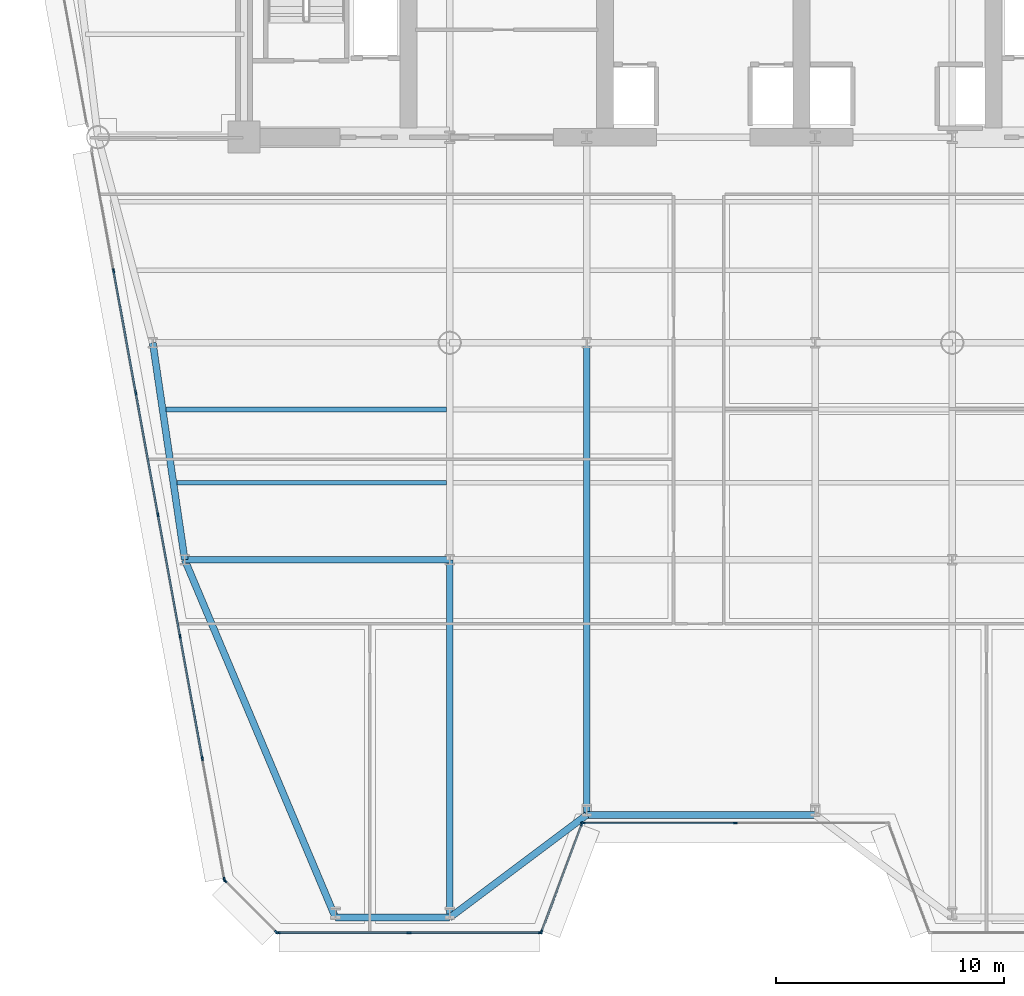
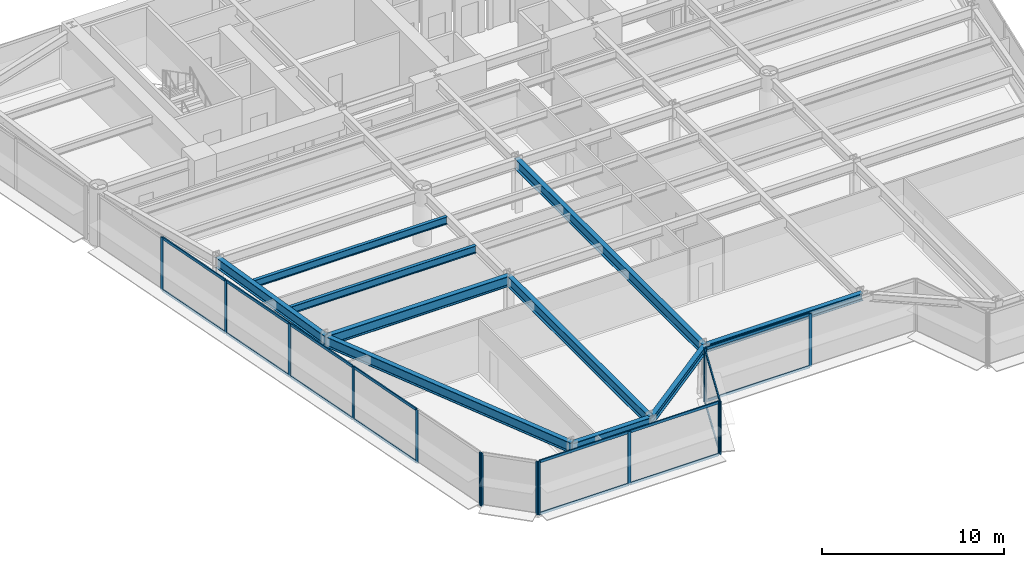
# One storey, part 2 of 14: 31 members, 10 beams, 5 elements without a shape of their own.
"""IFC4 building model written with IfcOpenShell, lengths in metres."""

import ifcopenshell
import ifcopenshell.guid

model = None  # the IFC model being written
_history = None  # IfcOwnerHistory: only IFC2X3 demands one
_inside = {}  # id of a spatial element -> (the spatial element, [elements in it])
_under = {}  # id of a project, library or spatial element -> (it, [spatial elements below it])
_declared = {}  # id of a project -> (the project, [libraries it declares])
_typed = {}  # id of a type object -> (the type object, [elements of that type])
_made_of = {}  # id of a material, layer set ... -> (it, [elements and type objects made of it])


def new_model(schema):
    """Start an empty IFC model of exactly this schema.

    Asked for "IFC4X3", IfcOpenShell would pick the latest addendum, in which some entities
    have other attributes; the version numbers below select the first issue.
    IFC2X3 requires an IfcOwnerHistory on every rooted entity: one is made here for all.
    """
    global model, _history
    if schema == "IFC4X3":
        model = ifcopenshell.file(schema_version=(4, 3, 0, 0))
    else:
        model = ifcopenshell.file(schema=schema)
    _inside.clear()
    _under.clear()
    _declared.clear()
    _typed.clear()
    _made_of.clear()
    _history = None
    if model.schema == "IFC2X3":
        org = make("IfcOrganization", Name="unknown")
        user = make(
            "IfcPersonAndOrganization",
            ThePerson=make("IfcPerson", FamilyName="unknown"),
            TheOrganization=org,
        )
        app = make(
            "IfcApplication",
            ApplicationDeveloper=org,
            Version="unknown",
            ApplicationFullName="unknown",
            ApplicationIdentifier="unknown",
        )
        _history = make(
            "IfcOwnerHistory",
            OwningUser=user,
            OwningApplication=app,
            ChangeAction="ADDED",
            CreationDate=0,
        )
    return model


def make(cls, **values):
    """One entity of the class cls with the attributes given. An attribute that is None is left unset."""
    return model.create_entity(
        cls, **{name: value for name, value in values.items() if value is not None}
    )


def rooted(cls, **values):
    """An entity with a GlobalId (a new one), such as an element, a storey or a relation."""
    return make(cls, GlobalId=ifcopenshell.guid.new(), OwnerHistory=_history, **values)


def si_unit(unit_type, name, prefix=None):
    """IfcSIUnit, for example si_unit("LENGTHUNIT", "METRE", prefix="MILLI")."""
    return make("IfcSIUnit", UnitType=unit_type, Prefix=prefix, Name=name)


def assignment(units):
    """IfcUnitAssignment: the units of a project."""
    return None if units is None else make("IfcUnitAssignment", Units=units)


def point(xyz):
    """IfcCartesianPoint."""
    return None if xyz is None else make("IfcCartesianPoint", Coordinates=xyz)


def direction(xyz):
    """IfcDirection."""
    return None if xyz is None else make("IfcDirection", DirectionRatios=xyz)


def frame(location, z_axis=None, x_axis=None):
    """IfcAxis2Placement3D, a coordinate frame: its origin and axes. An axis left out is left unset."""
    return make(
        "IfcAxis2Placement3D",
        Location=point(location),
        Axis=direction(z_axis),
        RefDirection=direction(x_axis),
    )


def frame_2d(location, x_axis=None):
    """IfcAxis2Placement2D, a coordinate frame in the plane: its origin and x axis."""
    return make(
        "IfcAxis2Placement2D", Location=point(location), RefDirection=direction(x_axis)
    )


def origin():
    """The frame at (0, 0, 0) with its axes left unset."""
    return frame((0.0, 0.0, 0.0))


def origin_2d():
    """The frame at (0, 0) in the plane with its x axis left unset."""
    return frame_2d((0.0, 0.0))


def place(relative_to, where):
    """IfcLocalPlacement: puts the frame where relative to a parent placement (None: the world)."""
    return make(
        "IfcLocalPlacement", PlacementRelTo=relative_to, RelativePlacement=where
    )


def context(
    kind, dimensions, precision=None, world=None, true_north=None, identifier=None
):
    """IfcGeometricRepresentationContext, for example the 3D "Model" context."""
    return make(
        "IfcGeometricRepresentationContext",
        ContextIdentifier=identifier,
        ContextType=kind,
        CoordinateSpaceDimension=dimensions,
        Precision=precision,
        WorldCoordinateSystem=world,
        TrueNorth=true_north,
    )


def subcontext(parent, identifier, kind, view, scale=None):
    """IfcGeometricRepresentationSubContext, for example "Body" below "Model"."""
    return make(
        "IfcGeometricRepresentationSubContext",
        ContextIdentifier=identifier,
        ContextType=kind,
        ParentContext=parent,
        TargetScale=scale,
        TargetView=view,
    )


def project(units=None, contexts=None):
    """IfcProject with its units and contexts."""
    return rooted(
        "IfcProject",
        Name="project",
        RepresentationContexts=contexts,
        UnitsInContext=assignment(units),
    )


def spatial(cls, under=None, at=None, **own):
    """A site, building, storey or space (cls), placed at a placement, below another one or the project."""
    s = rooted(cls, ObjectPlacement=at, **own)
    if under is not None:
        _under.setdefault(under.id(), (under, []))[1].append(s)
    return s


def profile(cls, at=None, kind="AREA", **sizes):
    """A parametric profile (cls). Its sizes go by their IFC names, for example OverallWidth=200.0."""
    return make(cls, ProfileType=kind, Position=at, **sizes)


def rectangle(**sizes):
    """IfcRectangleProfileDef."""
    return profile("IfcRectangleProfileDef", **sizes)


def i_section(**sizes):
    """IfcIShapeProfileDef."""
    return profile("IfcIShapeProfileDef", **sizes)


def extrude(swept, where, along, depth):
    """IfcExtrudedAreaSolid: the profile swept, set in the frame where, extruded along a direction by depth."""
    return make(
        "IfcExtrudedAreaSolid",
        SweptArea=swept,
        Position=where,
        ExtrudedDirection=direction(along),
        Depth=depth,
    )


def shape(context_of_items, identifier, shape_type, items):
    """IfcShapeRepresentation: the items that make up one representation, for example the "Body"."""
    return make(
        "IfcShapeRepresentation",
        ContextOfItems=context_of_items,
        RepresentationIdentifier=identifier,
        RepresentationType=shape_type,
        Items=items,
    )


def source(mapping_origin, context_of_items, identifier, shape_type, items):
    """IfcRepresentationMap: a shape defined once, which mapped items show again and again."""
    return make(
        "IfcRepresentationMap",
        MappingOrigin=mapping_origin,
        MappedRepresentation=shape(context_of_items, identifier, shape_type, items),
    )


def transform(
    local_origin,
    x_axis=None,
    y_axis=None,
    z_axis=None,
    scale=None,
    scale2=None,
    scale3=None,
    uniform=True,
):
    """IfcCartesianTransformationOperator3D, or its non-uniform kind. x_axis, y_axis, z_axis: its Axis1, 2, 3."""
    if uniform:
        return make(
            "IfcCartesianTransformationOperator3D",
            Axis1=direction(x_axis),
            Axis2=direction(y_axis),
            LocalOrigin=point(local_origin),
            Scale=scale,
            Axis3=direction(z_axis),
        )
    return make(
        "IfcCartesianTransformationOperator3DnonUniform",
        Axis1=direction(x_axis),
        Axis2=direction(y_axis),
        LocalOrigin=point(local_origin),
        Scale=scale,
        Axis3=direction(z_axis),
        Scale2=scale2,
        Scale3=scale3,
    )


def mapped(mapping_source, mapping_target):
    """IfcMappedItem: shows the shape of a source again, moved by a transform."""
    return make(
        "IfcMappedItem", MappingSource=mapping_source, MappingTarget=mapping_target
    )


def material(Name=None, Category=None):
    """IfcMaterial."""
    return make("IfcMaterial", Name=Name, Category=Category)


def layer(
    of_material, thickness, ventilated=None, Name=None, Category=None, Priority=None
):
    """IfcMaterialLayer: one layer of a wall or slab, of a material (None: an air gap)."""
    return make(
        "IfcMaterialLayer",
        Material=of_material,
        LayerThickness=thickness,
        IsVentilated=ventilated,
        Name=Name,
        Category=Category,
        Priority=Priority,
    )


def layer_set(layers, Name=None):
    """IfcMaterialLayerSet."""
    return make("IfcMaterialLayerSet", MaterialLayers=layers, LayerSetName=Name)


def material_profile(
    of_material, cross_section, Name=None, Category=None, Priority=None
):
    """IfcMaterialProfile: a cross section and its material."""
    return make(
        "IfcMaterialProfile",
        Name=Name,
        Material=of_material,
        Profile=cross_section,
        Priority=Priority,
        Category=Category,
    )


def profile_set(profiles, Name=None, composite=None):
    """IfcMaterialProfileSet."""
    return make(
        "IfcMaterialProfileSet",
        Name=Name,
        MaterialProfiles=profiles,
        CompositeProfile=composite,
    )


def made_of(thing, what):
    """Note that an element or type object is made of a material, layer set ...; save() writes the relation."""
    if what is not None:
        _made_of.setdefault(what.id(), (what, []))[1].append(thing)
    return thing


def type_object(cls, material=None, **own):
    """A type object (cls), such as IfcWallType, which elements share."""
    return made_of(rooted(cls, **own), material)


def element(
    cls,
    number,
    at=None,
    inside=None,
    cuts=None,
    type_object=None,
    material=None,
    context=None,
    identifier="Body",
    shape_type=None,
    held_by="IfcProductDefinitionShape",
    body=None,
    shapes=None,
    **own,
):
    """One element of the class cls, such as IfcWall. Its Tag is "e" and its number.

    at: its placement. inside: the storey or other place that contains it. cuts: it is an
    opening in that element (IfcRelVoidsElement). A single representation is given by context,
    identifier, shape_type and body (its items); several are given by shapes. held_by: the class
    of the entity that holds the representations. save() writes the other relations.
    """
    e = rooted(cls, Tag="e%d" % number, ObjectPlacement=at, **own)
    if body is not None:
        shapes = [shape(context, identifier, shape_type, body)]
    if shapes is not None:
        e.Representation = make(held_by, Representations=shapes)
    if inside is not None:
        _inside.setdefault(inside.id(), (inside, []))[1].append(e)
    if cuts is not None:
        rooted(
            "IfcRelVoidsElement", RelatingBuildingElement=cuts, RelatedOpeningElement=e
        )
    if type_object is not None:
        _typed.setdefault(type_object.id(), (type_object, []))[1].append(e)
    return made_of(e, material)


def aggregate(whole, parts):
    """IfcRelAggregates: a whole, such as a stair, and the parts it consists of."""
    return rooted("IfcRelAggregates", RelatingObject=whole, RelatedObjects=parts)


def save(model, path):
    """Write the relations noted so far, then the file.

    IfcRelAggregates (storeys below a building ...), IfcRelContainedInSpatialStructure (elements
    in a storey), IfcRelDefinesByType, IfcRelAssociatesMaterial and IfcRelDeclares: one each for
    every whole, place, type object, material and project.
    """
    for whole, parts in _under.values():
        aggregate(whole, parts)
    for where, things in _inside.values():
        rooted(
            "IfcRelContainedInSpatialStructure",
            RelatedElements=things,
            RelatingStructure=where,
        )
    for kind, things in _typed.values():
        rooted("IfcRelDefinesByType", RelatedObjects=things, RelatingType=kind)
    for what, things in _made_of.values():
        rooted("IfcRelAssociatesMaterial", RelatedObjects=things, RelatingMaterial=what)
    for by, libraries in _declared.values():
        rooted("IfcRelDeclares", RelatingContext=by, RelatedDefinitions=libraries)
    model.write(path)


model = new_model("IFC4")

# Units and contexts
model_context = context("Model", 3, precision=1e-05, world=origin(), true_north=direction((0.0, 1.0)))
body_context = subcontext(model_context, "Body", "Model", "MODEL_VIEW")
ifc_project = project(units=[si_unit("LENGTHUNIT", "METRE"), si_unit("AREAUNIT", "SQUARE_METRE"), si_unit("VOLUMEUNIT", "CUBIC_METRE"), si_unit("PLANEANGLEUNIT", "RADIAN"), si_unit("MASSUNIT", "GRAM", prefix="KILO")], contexts=[model_context])

# Site, building, storey
site_placement = place(None, origin())
site = spatial("IfcSite", under=ifc_project, at=site_placement, CompositionType="ELEMENT")
building_placement = place(site_placement, origin())
building = spatial("IfcBuilding", under=site, at=building_placement, Name="Vaeldorn Concourse Tower", CompositionType="ELEMENT")
storey_placement = place(building_placement, frame((0.0, 0.0, 118.60009765625)))
storey = spatial("IfcBuildingStorey", under=building, at=storey_placement, Name="L30", CompositionType="ELEMENT", Elevation=118.60009765625)

# Beams
ifc_material_1 = material(Name="Steel S355", Category="steel")
ifc_material_profile_1 = material_profile(ifc_material_1, i_section(OverallWidth=0.199951171875, OverallDepth=0.5, WebThickness=0.01025390625, FlangeThickness=0.01611328125, FilletRadius=0.02099609375, at=origin_2d()), Name="IPE 500")
ifc_profile_set_1 = profile_set([ifc_material_profile_1], Name="Steel S355")
beam_type_1 = type_object("IfcBeamType", Name="BM-JS-IPE500", PredefinedType="JOIST", material=ifc_profile_set_1)
shared_shape_1 = source(origin(), body_context, "Body", "SweptSolid", [
    extrude(i_section(OverallWidth=0.199951171875, OverallDepth=0.5, WebThickness=0.01025390625, FlangeThickness=0.01611328125, FilletRadius=0.02099609375, at=origin_2d()), origin(), (0.0, 0.0, 1.0), 11.798095703125),
])
beam_1_placement = place(storey_placement, frame((11.052001953125, 21.3798828125, 3.329833984375), z_axis=(1.0, 0.0, 0.0), x_axis=(0.0, 1.0, 0.0)))
element("IfcBeam", 1, at=beam_1_placement, inside=storey, type_object=beam_type_1, Name="Beam JS-L30-W1-213", PredefinedType="JOIST", context=body_context, shape_type="MappedRepresentation", body=[
    mapped(shared_shape_1, transform((0.0, 0.0, 0.0), scale=1.0)),
])
shared_shape_2 = source(origin(), body_context, "Body", "SweptSolid", [
    extrude(i_section(OverallWidth=0.199951171875, OverallDepth=0.5, WebThickness=0.01025390625, FlangeThickness=0.01611328125, FilletRadius=0.02099609375, at=origin_2d()), origin(), (0.0, 0.0, 1.0), 12.269775390625),
])
beam_2_placement = place(storey_placement, frame((10.580322265625, 24.580078125, 3.329833984375), z_axis=(1.0, 0.0, 0.0), x_axis=(0.0, 1.0, 0.0)))
element("IfcBeam", 2, at=beam_2_placement, inside=storey, type_object=beam_type_1, Name="Beam JS-L30-W1-245", PredefinedType="JOIST", context=body_context, shape_type="MappedRepresentation", body=[
    mapped(shared_shape_2, transform((0.0, 0.0, 0.0), scale=1.0)),
])
ifc_material_profile_2 = material_profile(ifc_material_1, i_section(OverallWidth=0.300048828125, OverallDepth=0.5, WebThickness=0.014404296875, FlangeThickness=0.028076171875, FilletRadius=0.027099609375, at=origin_2d()), Name="HEB 500")
ifc_profile_set_2 = profile_set([ifc_material_profile_2], Name="Steel S355")
beam_type_2 = type_object("IfcBeamType", Name="BM-SP-HEB500", PredefinedType="SPANDREL", material=ifc_profile_set_2)
shared_shape_3 = source(origin(), body_context, "Body", "SweptSolid", [
    extrude(i_section(OverallWidth=0.300048828125, OverallDepth=0.5, WebThickness=0.014404296875, FlangeThickness=0.028076171875, FilletRadius=0.027099609375, at=origin_2d()), origin(), (0.0, 0.0, 1.0), 5.0),
])
beam_3_placement = place(storey_placement, frame((18.0, 2.33447265625, 3.329833984375), z_axis=(1.0, 0.0, 0.0), x_axis=(0.0, 1.0, 0.0)))
element("IfcBeam", 3, at=beam_3_placement, inside=storey, type_object=beam_type_2, Name="Beam BM-L30-C-SF1-C-SF2", PredefinedType="SPANDREL", context=body_context, shape_type="MappedRepresentation", body=[
    mapped(shared_shape_3, transform((0.0, 0.0, 0.0), scale=1.0)),
])
shared_shape_4 = source(origin(), body_context, "Body", "SweptSolid", [
    extrude(i_section(OverallWidth=0.300048828125, OverallDepth=0.5, WebThickness=0.014404296875, FlangeThickness=0.028076171875, FilletRadius=0.027099609375, at=origin_2d()), origin(), (0.0, 0.0, 1.0), 7.5),
])
beam_4_placement = place(storey_placement, frame((23.0, 2.33447265625, 3.329833984375), z_axis=(0.8, 0.6, 0.0), x_axis=(-0.6, 0.8, 0.0)))
element("IfcBeam", 4, at=beam_4_placement, inside=storey, type_object=beam_type_2, Name="Beam BM-L30-C-SF2-C-SF3", PredefinedType="SPANDREL", context=body_context, shape_type="MappedRepresentation", body=[
    mapped(shared_shape_4, transform((0.0, 0.0, 0.0), scale=1.0)),
])
shared_shape_5 = source(origin(), body_context, "Body", "SweptSolid", [
    extrude(i_section(OverallWidth=0.300048828125, OverallDepth=0.5, WebThickness=0.014404296875, FlangeThickness=0.028076171875, FilletRadius=0.027099609375, at=origin_2d()), origin(), (0.0, 0.0, 1.0), 10.0),
])
beam_5_placement = place(storey_placement, frame((29.0, 6.83447265625, 3.329833984375), z_axis=(1.0, 0.0, 0.0), x_axis=(0.0, 1.0, 0.0)))
element("IfcBeam", 5, at=beam_5_placement, inside=storey, type_object=beam_type_2, Name="Beam BM-L30-C-SF3-C-SF4", PredefinedType="SPANDREL", context=body_context, shape_type="MappedRepresentation", body=[
    mapped(shared_shape_5, transform((0.0, 0.0, 0.0), scale=1.0)),
])
ifc_material_profile_3 = material_profile(ifc_material_1, i_section(OverallWidth=0.300048828125, OverallDepth=0.699951171875, WebThickness=0.01708984375, FlangeThickness=0.031982421875, FilletRadius=0.027099609375, at=origin_2d()), Name="HEB 700")
ifc_profile_set_3 = profile_set([ifc_material_profile_3], Name="Steel S355")
beam_type_3 = type_object("IfcBeamType", Name="BM-PG-HEB700", PredefinedType="BEAM", material=ifc_profile_set_3)
shared_shape_6 = source(origin(), body_context, "Body", "SweptSolid", [
    extrude(i_section(OverallWidth=0.300048828125, OverallDepth=0.699951171875, WebThickness=0.01708984375, FlangeThickness=0.031982421875, FilletRadius=0.027099609375, at=origin_2d()), origin(), (0.0, 0.0, 1.0), 9.6025390625),
])
beam_6_placement = place(storey_placement, frame((10.0, 27.5, 3.22998046875), z_axis=(0.145783835977, -0.989316467652, 0.0), x_axis=(0.989316467652, 0.145783835977, 0.0)))
element("IfcBeam", 6, at=beam_6_placement, inside=storey, type_object=beam_type_3, Name="Beam BM-L30-C-FLW1-C-FLW2", PredefinedType="BEAM", context=body_context, shape_type="MappedRepresentation", body=[
    mapped(shared_shape_6, transform((0.0, 0.0, 0.0), scale=1.0)),
])
shared_shape_7 = source(origin(), body_context, "Body", "SweptSolid", [
    extrude(i_section(OverallWidth=0.300048828125, OverallDepth=0.699951171875, WebThickness=0.01708984375, FlangeThickness=0.031982421875, FilletRadius=0.027099609375, at=origin_2d()), origin(), (0.0, 0.0, 1.0), 11.60009765625),
])
beam_7_placement = place(storey_placement, frame((11.39990234375, 18.0, 3.22998046875), z_axis=(1.0, 0.0, 0.0), x_axis=(0.0, 1.0, 0.0)))
element("IfcBeam", 7, at=beam_7_placement, inside=storey, type_object=beam_type_3, Name="Beam BM-L30-C-FLW2-C-TW5", PredefinedType="BEAM", context=body_context, shape_type="MappedRepresentation", body=[
    mapped(shared_shape_7, transform((0.0, 0.0, 0.0), scale=1.0)),
])
shared_shape_8 = source(origin(), body_context, "Body", "SweptSolid", [
    extrude(i_section(OverallWidth=0.300048828125, OverallDepth=0.699951171875, WebThickness=0.01708984375, FlangeThickness=0.031982421875, FilletRadius=0.027099609375, at=origin_2d()), origin(), (0.0, 0.0, 1.0), 16.9990234375),
])
beam_8_placement = place(storey_placement, frame((18.0, 2.33447265625, 3.22998046875), z_axis=(-0.388261166886, 0.921549383532, 0.0), x_axis=(-0.921549383532, -0.388261166886, 0.0)))
element("IfcBeam", 8, at=beam_8_placement, inside=storey, type_object=beam_type_3, Name="Beam BM-L30-C-SF1-C-FLW2", PredefinedType="BEAM", context=body_context, shape_type="MappedRepresentation", body=[
    mapped(shared_shape_8, transform((0.0, 0.0, 0.0), scale=1.0)),
])
shared_shape_9 = source(origin(), body_context, "Body", "SweptSolid", [
    extrude(i_section(OverallWidth=0.300048828125, OverallDepth=0.699951171875, WebThickness=0.01708984375, FlangeThickness=0.031982421875, FilletRadius=0.027099609375, at=origin_2d()), origin(), (0.0, 0.0, 1.0), 15.66552734375),
])
beam_9_placement = place(storey_placement, frame((23.0, 2.33447265625, 3.22998046875), z_axis=(0.0, 1.0, 0.0), x_axis=(-1.0, 0.0, 0.0)))
element("IfcBeam", 9, at=beam_9_placement, inside=storey, type_object=beam_type_3, Name="Beam BM-L30-C-SF2-C-TW5", PredefinedType="BEAM", context=body_context, shape_type="MappedRepresentation", body=[
    mapped(shared_shape_9, transform((0.0, 0.0, 0.0), scale=1.0)),
])
shared_shape_10 = source(origin(), body_context, "Body", "SweptSolid", [
    extrude(i_section(OverallWidth=0.300048828125, OverallDepth=0.699951171875, WebThickness=0.01708984375, FlangeThickness=0.031982421875, FilletRadius=0.027099609375, at=origin_2d()), origin(), (0.0, 0.0, 1.0), 20.66552734375),
])
beam_10_placement = place(storey_placement, frame((29.0, 6.83447265625, 3.22998046875), z_axis=(0.0, 1.0, 0.0), x_axis=(-1.0, 0.0, 0.0)))
element("IfcBeam", 10, at=beam_10_placement, inside=storey, type_object=beam_type_3, Name="Beam BM-L30-C-SF3-C-TW2", PredefinedType="BEAM", context=body_context, shape_type="MappedRepresentation", body=[
    mapped(shared_shape_10, transform((0.0, 0.0, 0.0), scale=1.0)),
])

# Curtain wall, members
ifc_material_2 = material(Name="Anodised Bronze Aluminium", Category="aluminium")
ifc_layer = layer(ifc_material_2, 0.199951171875)
ifc_layer_set = layer_set([ifc_layer], Name="Anodised Bronze Aluminium")
curtain_wall_type = type_object("IfcCurtainWallType", Name="CW-SYS-02", PredefinedType="NOTDEFINED", material=ifc_layer_set)
curtain_wall_1_placement = place(storey_placement, origin())
curtain_wall_1 = element("IfcCurtainWall", 11, at=curtain_wall_1_placement, inside=storey, type_object=curtain_wall_type, Name="Unitised Curtain Wall CW-L30-E03-1", PredefinedType="NOTDEFINED")
ifc_material_profile_4 = material_profile(ifc_material_2, rectangle(XDim=0.074951171875, YDim=0.179931640625, at=origin_2d()), Name="CWT 75x180")
ifc_profile_set_4 = profile_set([ifc_material_profile_4], Name="Anodised Bronze Aluminium")
member_type_1 = type_object("IfcMemberType", Name="CWT-BRONZE-180", PredefinedType="USERDEFINED", material=ifc_profile_set_4)
shared_shape_11 = source(origin(), body_context, "Body", "SweptSolid", [
    extrude(rectangle(XDim=0.074951171875, YDim=0.179931640625, at=origin_2d()), origin(), (0.0, 0.0, 1.0), 6.58740234375),
])
member_1_placement = place(storey_placement, frame((28.875, 6.473388671875, 0.037353515625), z_axis=(1.0, 0.0, 0.0), x_axis=(0.0, 1.0, 0.0)))
member_1 = element("IfcMember", 12, at=member_1_placement, type_object=member_type_1, Name="CW-02 transom 1.1", ObjectType="TRANSOM", PredefinedType="USERDEFINED", context=body_context, shape_type="MappedRepresentation", body=[
    mapped(shared_shape_11, transform((0.0, 0.0, 0.0), scale=1.0)),
])
member_2_placement = place(storey_placement, frame((28.875, 6.473388671875, 3.54248046875), z_axis=(1.0, 0.0, 0.0), x_axis=(0.0, 1.0, 0.0)))
member_2 = element("IfcMember", 13, at=member_2_placement, type_object=member_type_1, Name="CW-02 transom 1.2", ObjectType="TRANSOM", PredefinedType="USERDEFINED", context=body_context, shape_type="MappedRepresentation", body=[
    mapped(shared_shape_11, transform((0.0, 0.0, 0.0), scale=1.0)),
])

curtain_wall_2_placement = place(storey_placement, origin())
curtain_wall_2 = element("IfcCurtainWall", 14, at=curtain_wall_2_placement, inside=storey, type_object=curtain_wall_type, Name="Unitised Curtain Wall CW-L30-E02-1", PredefinedType="NOTDEFINED")
shared_shape_12 = source(origin(), body_context, "Body", "SweptSolid", [
    extrude(rectangle(XDim=0.074951171875, YDim=0.179931640625, at=origin_2d()), origin(), (0.0, 0.0, 1.0), 4.9765625),
])
member_3_placement = place(storey_placement, frame((27.0263671875, 1.74365234375, 0.037353515625), z_axis=(0.351112688987, 0.936333209724, 0.0), x_axis=(-0.936333209724, 0.351112688987, 0.0)))
member_3 = element("IfcMember", 15, at=member_3_placement, type_object=member_type_1, Name="CW-02 transom 1.1", ObjectType="TRANSOM", PredefinedType="USERDEFINED", context=body_context, shape_type="MappedRepresentation", body=[
    mapped(shared_shape_12, transform((0.0, 0.0, 0.0), scale=1.0)),
])
member_4_placement = place(storey_placement, frame((27.0263671875, 1.74365234375, 3.54248046875), z_axis=(0.351112688987, 0.936333209724, 0.0), x_axis=(-0.936333209724, 0.351112688987, 0.0)))
member_4 = element("IfcMember", 16, at=member_4_placement, type_object=member_type_1, Name="CW-02 transom 1.2", ObjectType="TRANSOM", PredefinedType="USERDEFINED", context=body_context, shape_type="MappedRepresentation", body=[
    mapped(shared_shape_12, transform((0.0, 0.0, 0.0), scale=1.0)),
])

curtain_wall_3_placement = place(storey_placement, origin())
curtain_wall_3 = element("IfcCurtainWall", 17, at=curtain_wall_3_placement, inside=storey, type_object=curtain_wall_type, Name="Unitised Curtain Wall CW-L30-E01-1", PredefinedType="NOTDEFINED")
shared_shape_13 = source(origin(), body_context, "Body", "SweptSolid", [
    extrude(rectangle(XDim=0.074951171875, YDim=0.179931640625, at=origin_2d()), origin(), (0.0, 0.0, 1.0), 5.66796875),
])
member_5_placement = place(storey_placement, frame((15.513916015625, 1.673583984375, 0.037353515625), z_axis=(1.0, 0.0, 0.0), x_axis=(0.0, 1.0, 0.0)))
member_5 = element("IfcMember", 18, at=member_5_placement, type_object=member_type_1, Name="CW-02 transom 1.1", ObjectType="TRANSOM", PredefinedType="USERDEFINED", context=body_context, shape_type="MappedRepresentation", body=[
    mapped(shared_shape_13, transform((0.0, 0.0, 0.0), scale=1.0)),
])
member_6_placement = place(storey_placement, frame((15.513916015625, 1.673583984375, 3.54248046875), z_axis=(1.0, 0.0, 0.0), x_axis=(0.0, 1.0, 0.0)))
member_6 = element("IfcMember", 19, at=member_6_placement, type_object=member_type_1, Name="CW-02 transom 1.2", ObjectType="TRANSOM", PredefinedType="USERDEFINED", context=body_context, shape_type="MappedRepresentation", body=[
    mapped(shared_shape_13, transform((0.0, 0.0, 0.0), scale=1.0)),
])
shared_shape_14 = source(origin(), body_context, "Body", "SweptSolid", [
    extrude(rectangle(XDim=0.074951171875, YDim=0.179931640625, at=origin_2d()), origin(), (0.0, 0.0, 1.0), 5.668212890625),
])
member_7_placement = place(storey_placement, frame((21.2568359375, 1.673583984375, 0.037353515625), z_axis=(1.0, 0.0, 0.0), x_axis=(0.0, 1.0, 0.0)))
member_7 = element("IfcMember", 20, at=member_7_placement, type_object=member_type_1, Name="CW-02 transom 2.1", ObjectType="TRANSOM", PredefinedType="USERDEFINED", context=body_context, shape_type="MappedRepresentation", body=[
    mapped(shared_shape_14, transform((0.0, 0.0, 0.0), scale=1.0)),
])
member_8_placement = place(storey_placement, frame((21.2568359375, 1.673583984375, 3.54248046875), z_axis=(1.0, 0.0, 0.0), x_axis=(0.0, 1.0, 0.0)))
member_8 = element("IfcMember", 21, at=member_8_placement, type_object=member_type_1, Name="CW-02 transom 2.2", ObjectType="TRANSOM", PredefinedType="USERDEFINED", context=body_context, shape_type="MappedRepresentation", body=[
    mapped(shared_shape_14, transform((0.0, 0.0, 0.0), scale=1.0)),
])
ifc_material_profile_5 = material_profile(ifc_material_2, rectangle(XDim=0.074951171875, YDim=0.18994140625, at=origin_2d()), Name="CWM 75x190")
ifc_profile_set_5 = profile_set([ifc_material_profile_5], Name="Anodised Bronze Aluminium")
member_type_2 = type_object("IfcMemberType", Name="CWM-BRONZE-190", PredefinedType="MULLION", material=ifc_profile_set_5)
shared_shape_15 = source(origin(), body_context, "Body", "SweptSolid", [
    extrude(rectangle(XDim=0.074951171875, YDim=0.18994140625, at=origin_2d()), origin(), (0.0, 0.0, 1.0), 3.579833984375),
])
member_9_placement = place(storey_placement, frame((15.476318359375, 1.673583984375, 0.0), z_axis=(0.0, 0.0, 1.0), x_axis=(0.0, 1.0, 0.0)))
member_9 = element("IfcMember", 22, at=member_9_placement, type_object=member_type_2, Name="CW-02 mullion 1", PredefinedType="MULLION", context=body_context, shape_type="MappedRepresentation", body=[
    mapped(shared_shape_15, transform((0.0, 0.0, 0.0), scale=1.0)),
])
member_10_placement = place(storey_placement, frame((21.219482421875, 1.673583984375, 0.0), z_axis=(0.0, 0.0, 1.0), x_axis=(0.0, 1.0, 0.0)))
member_10 = element("IfcMember", 23, at=member_10_placement, type_object=member_type_2, Name="CW-02 mullion 2", PredefinedType="MULLION", context=body_context, shape_type="MappedRepresentation", body=[
    mapped(shared_shape_15, transform((0.0, 0.0, 0.0), scale=1.0)),
])
member_11_placement = place(storey_placement, frame((26.96240234375, 1.673583984375, 0.0), z_axis=(0.0, 0.0, 1.0), x_axis=(0.0, 1.0, 0.0)))
member_11 = element("IfcMember", 24, at=member_11_placement, type_object=member_type_2, Name="CW-02 mullion 3", PredefinedType="MULLION", context=body_context, shape_type="MappedRepresentation", body=[
    mapped(shared_shape_15, transform((0.0, 0.0, 0.0), scale=1.0)),
])
aggregate(curtain_wall_3, [member_9, member_10, member_11, member_5, member_6, member_7, member_8])

# Member
member_12_placement = place(storey_placement, frame((27.01318359375, 1.70849609375, 0.0), z_axis=(0.0, 0.0, 1.0), x_axis=(-0.936329177566, 0.351123441595, 0.0)))
member_12 = element("IfcMember", 25, at=member_12_placement, type_object=member_type_2, Name="CW-02 mullion 1", PredefinedType="MULLION", context=body_context, shape_type="MappedRepresentation", body=[
    mapped(shared_shape_15, transform((0.0, 0.0, 0.0), scale=1.0)),
])

member_13_placement = place(storey_placement, frame((28.786865234375, 6.4384765625, 0.0), z_axis=(0.0, 0.0, 1.0), x_axis=(-0.936329177566, 0.351123441595, 0.0)))
member_13 = element("IfcMember", 26, at=member_13_placement, type_object=member_type_2, Name="CW-02 mullion 2", PredefinedType="MULLION", context=body_context, shape_type="MappedRepresentation", body=[
    mapped(shared_shape_15, transform((0.0, 0.0, 0.0), scale=1.0)),
])

aggregate(curtain_wall_2, [member_12, member_13, member_3, member_4])

member_14_placement = place(storey_placement, frame((28.83740234375, 6.473388671875, 0.0), z_axis=(0.0, 0.0, 1.0), x_axis=(0.0, 1.0, 0.0)))
member_14 = element("IfcMember", 27, at=member_14_placement, type_object=member_type_2, Name="CW-02 mullion 1", PredefinedType="MULLION", context=body_context, shape_type="MappedRepresentation", body=[
    mapped(shared_shape_15, transform((0.0, 0.0, 0.0), scale=1.0)),
])

member_15_placement = place(storey_placement, frame((35.5, 6.473388671875, 0.0), z_axis=(0.0, 0.0, 1.0), x_axis=(0.0, 1.0, 0.0)))
member_15 = element("IfcMember", 28, at=member_15_placement, type_object=member_type_2, Name="CW-02 mullion 2", PredefinedType="MULLION", context=body_context, shape_type="MappedRepresentation", body=[
    mapped(shared_shape_15, transform((0.0, 0.0, 0.0), scale=1.0)),
])

aggregate(curtain_wall_1, [member_14, member_15, member_1, member_2])

# Curtain wall, members
curtain_wall_4_placement = place(storey_placement, origin())
curtain_wall_4 = element("IfcCurtainWall", 29, at=curtain_wall_4_placement, inside=storey, type_object=curtain_wall_type, Name="Unitised Curtain Wall CW-L30-E11-2", PredefinedType="NOTDEFINED")
member_16_placement = place(storey_placement, frame((8.28515625, 30.647216796875, 0.0), z_axis=(0.0, 0.0, 1.0), x_axis=(0.983843539412, 0.179030416291, 0.0)))
member_16 = element("IfcMember", 30, at=member_16_placement, type_object=member_type_2, Name="CW-02 mullion 2", PredefinedType="MULLION", context=body_context, shape_type="MappedRepresentation", body=[
    mapped(shared_shape_15, transform((0.0, 0.0, 0.0), scale=1.0)),
])
member_17_placement = place(storey_placement, frame((9.255859375, 25.3125, 0.0), z_axis=(0.0, 0.0, 1.0), x_axis=(0.983843539412, 0.179030416291, 0.0)))
member_17 = element("IfcMember", 31, at=member_17_placement, type_object=member_type_2, Name="CW-02 mullion 3", PredefinedType="MULLION", context=body_context, shape_type="MappedRepresentation", body=[
    mapped(shared_shape_15, transform((0.0, 0.0, 0.0), scale=1.0)),
])
member_18_placement = place(storey_placement, frame((10.2265625, 19.977783203125, 0.0), z_axis=(0.0, 0.0, 1.0), x_axis=(0.983843539412, 0.179030416291, 0.0)))
member_18 = element("IfcMember", 32, at=member_18_placement, type_object=member_type_2, Name="CW-02 mullion 4", PredefinedType="MULLION", context=body_context, shape_type="MappedRepresentation", body=[
    mapped(shared_shape_15, transform((0.0, 0.0, 0.0), scale=1.0)),
])
member_19_placement = place(storey_placement, frame((11.197265625, 14.64306640625, 0.0), z_axis=(0.0, 0.0, 1.0), x_axis=(0.983843539412, 0.179030416291, 0.0)))
member_19 = element("IfcMember", 33, at=member_19_placement, type_object=member_type_2, Name="CW-02 mullion 5", PredefinedType="MULLION", context=body_context, shape_type="MappedRepresentation", body=[
    mapped(shared_shape_15, transform((0.0, 0.0, 0.0), scale=1.0)),
])
member_20_placement = place(storey_placement, frame((12.168212890625, 9.308349609375, 0.0), z_axis=(0.0, 0.0, 1.0), x_axis=(0.983843539412, 0.179030416291, 0.0)))
member_20 = element("IfcMember", 34, at=member_20_placement, type_object=member_type_2, Name="CW-02 mullion 6", PredefinedType="MULLION", context=body_context, shape_type="MappedRepresentation", body=[
    mapped(shared_shape_15, transform((0.0, 0.0, 0.0), scale=1.0)),
])
member_21_placement = place(storey_placement, frame((13.132080078125, 4.010498046875, 0.0), z_axis=(0.0, 0.0, 1.0), x_axis=(0.983843539412, 0.179030416291, 0.0)))
member_21 = element("IfcMember", 35, at=member_21_placement, type_object=member_type_2, Name="CW-02 mullion 7", PredefinedType="MULLION", context=body_context, shape_type="MappedRepresentation", body=[
    mapped(shared_shape_15, transform((0.0, 0.0, 0.0), scale=1.0)),
])

curtain_wall_5_placement = place(storey_placement, origin())
curtain_wall_5 = element("IfcCurtainWall", 36, at=curtain_wall_5_placement, inside=storey, type_object=curtain_wall_type, Name="Unitised Curtain Wall CW-L30-E12-1", PredefinedType="NOTDEFINED")
member_22_placement = place(storey_placement, frame((13.16552734375, 3.947021484375, 0.0), z_axis=(0.0, 0.0, 1.0), x_axis=(0.707106781187, 0.707106781187, 0.0)))
member_22 = element("IfcMember", 37, at=member_22_placement, type_object=member_type_2, Name="CW-02 mullion 1", PredefinedType="MULLION", context=body_context, shape_type="MappedRepresentation", body=[
    mapped(shared_shape_15, transform((0.0, 0.0, 0.0), scale=1.0)),
])
member_23_placement = place(storey_placement, frame((15.412353515625, 1.699951171875, 0.0), z_axis=(0.0, 0.0, 1.0), x_axis=(0.707106781187, 0.707106781187, 0.0)))
member_23 = element("IfcMember", 38, at=member_23_placement, type_object=member_type_2, Name="CW-02 mullion 2", PredefinedType="MULLION", context=body_context, shape_type="MappedRepresentation", body=[
    mapped(shared_shape_15, transform((0.0, 0.0, 0.0), scale=1.0)),
])
aggregate(curtain_wall_5, [member_22, member_23])

# Member
shared_shape_16 = source(origin(), body_context, "Body", "SweptSolid", [
    extrude(rectangle(XDim=0.074951171875, YDim=0.179931640625, at=origin_2d()), origin(), (0.0, 0.0, 1.0), 5.347412109375),
])
member_24_placement = place(storey_placement, frame((8.291748046875, 30.6103515625, 0.037353515625), z_axis=(0.179018022226, -0.983845794684, 0.0), x_axis=(0.983845794684, 0.179018022226, 0.0)))
member_24 = element("IfcMember", 39, at=member_24_placement, type_object=member_type_1, Name="CW-02 transom 2.1", ObjectType="TRANSOM", PredefinedType="USERDEFINED", context=body_context, shape_type="MappedRepresentation", body=[
    mapped(shared_shape_16, transform((0.0, 0.0, 0.0), scale=1.0)),
])

member_25_placement = place(storey_placement, frame((8.291748046875, 30.6103515625, 3.54248046875), z_axis=(0.179018022226, -0.983845794684, 0.0), x_axis=(0.983845794684, 0.179018022226, 0.0)))
member_25 = element("IfcMember", 40, at=member_25_placement, type_object=member_type_1, Name="CW-02 transom 2.2", ObjectType="TRANSOM", PredefinedType="USERDEFINED", context=body_context, shape_type="MappedRepresentation", body=[
    mapped(shared_shape_16, transform((0.0, 0.0, 0.0), scale=1.0)),
])

member_26_placement = place(storey_placement, frame((9.262451171875, 25.275634765625, 0.037353515625), z_axis=(0.179062214735, -0.983837752505, 0.0), x_axis=(0.983837752505, 0.179062214735, 0.0)))
member_26 = element("IfcMember", 41, at=member_26_placement, type_object=member_type_1, Name="CW-02 transom 3.1", ObjectType="TRANSOM", PredefinedType="USERDEFINED", context=body_context, shape_type="MappedRepresentation", body=[
    mapped(shared_shape_16, transform((0.0, 0.0, 0.0), scale=1.0)),
])

member_27_placement = place(storey_placement, frame((9.262451171875, 25.275634765625, 3.54248046875), z_axis=(0.179062214735, -0.983837752505, 0.0), x_axis=(0.983837752505, 0.179062214735, 0.0)))
member_27 = element("IfcMember", 42, at=member_27_placement, type_object=member_type_1, Name="CW-02 transom 3.2", ObjectType="TRANSOM", PredefinedType="USERDEFINED", context=body_context, shape_type="MappedRepresentation", body=[
    mapped(shared_shape_16, transform((0.0, 0.0, 0.0), scale=1.0)),
])

member_28_placement = place(storey_placement, frame((10.2333984375, 19.94091796875, 0.037353515625), z_axis=(0.179018022226, -0.983845794684, 0.0), x_axis=(0.983845794684, 0.179018022226, 0.0)))
member_28 = element("IfcMember", 43, at=member_28_placement, type_object=member_type_1, Name="CW-02 transom 4.1", ObjectType="TRANSOM", PredefinedType="USERDEFINED", context=body_context, shape_type="MappedRepresentation", body=[
    mapped(shared_shape_16, transform((0.0, 0.0, 0.0), scale=1.0)),
])

member_29_placement = place(storey_placement, frame((10.2333984375, 19.94091796875, 3.54248046875), z_axis=(0.179018022226, -0.983845794684, 0.0), x_axis=(0.983845794684, 0.179018022226, 0.0)))
member_29 = element("IfcMember", 44, at=member_29_placement, type_object=member_type_1, Name="CW-02 transom 4.2", ObjectType="TRANSOM", PredefinedType="USERDEFINED", context=body_context, shape_type="MappedRepresentation", body=[
    mapped(shared_shape_16, transform((0.0, 0.0, 0.0), scale=1.0)),
])

member_30_placement = place(storey_placement, frame((11.2041015625, 14.606201171875, 0.037353515625), z_axis=(0.179018022226, -0.983845794684, 0.0), x_axis=(0.983845794684, 0.179018022226, 0.0)))
member_30 = element("IfcMember", 45, at=member_30_placement, type_object=member_type_1, Name="CW-02 transom 5.1", ObjectType="TRANSOM", PredefinedType="USERDEFINED", context=body_context, shape_type="MappedRepresentation", body=[
    mapped(shared_shape_16, transform((0.0, 0.0, 0.0), scale=1.0)),
])

member_31_placement = place(storey_placement, frame((11.2041015625, 14.606201171875, 3.54248046875), z_axis=(0.179018022226, -0.983845794684, 0.0), x_axis=(0.983845794684, 0.179018022226, 0.0)))
member_31 = element("IfcMember", 46, at=member_31_placement, type_object=member_type_1, Name="CW-02 transom 5.2", ObjectType="TRANSOM", PredefinedType="USERDEFINED", context=body_context, shape_type="MappedRepresentation", body=[
    mapped(shared_shape_16, transform((0.0, 0.0, 0.0), scale=1.0)),
])

aggregate(curtain_wall_4, [member_16, member_17, member_18, member_19, member_20, member_21, member_24, member_25, member_26, member_27, member_28, member_29, member_30, member_31])

save(model, "model.ifc")
